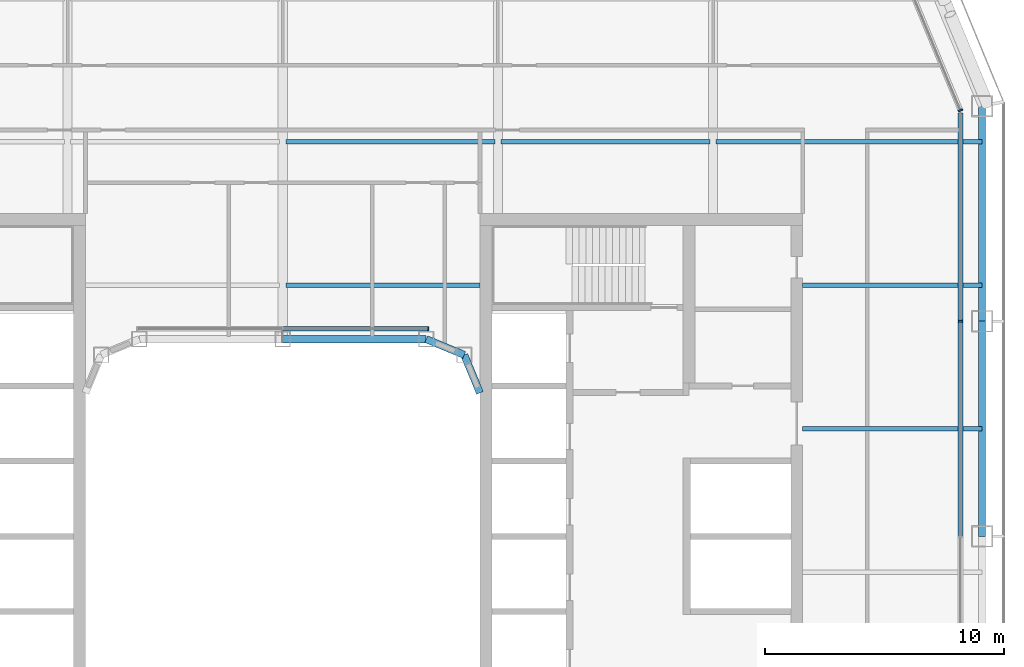
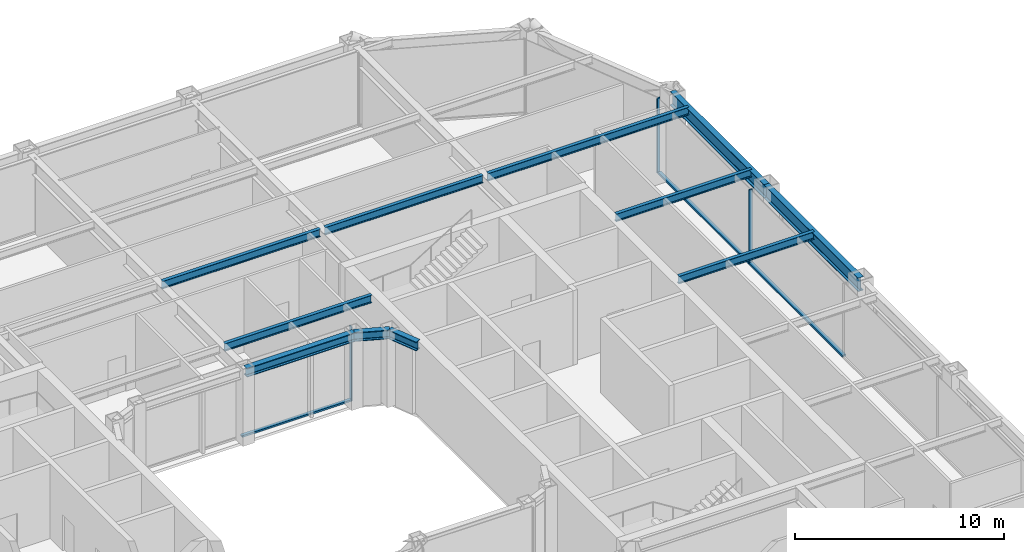
# One storey, part 8 of 23: 11 beams, 6 members, 3 elements without a shape of their own.
"""IFC4 building model written with IfcOpenShell, lengths in metres."""

import ifcopenshell
import ifcopenshell.guid

model = None  # the IFC model being written
_history = None  # IfcOwnerHistory: only IFC2X3 demands one
_inside = {}  # id of a spatial element -> (the spatial element, [elements in it])
_under = {}  # id of a project, library or spatial element -> (it, [spatial elements below it])
_declared = {}  # id of a project -> (the project, [libraries it declares])
_typed = {}  # id of a type object -> (the type object, [elements of that type])
_made_of = {}  # id of a material, layer set ... -> (it, [elements and type objects made of it])


def new_model(schema):
    """Start an empty IFC model of exactly this schema.

    Asked for "IFC4X3", IfcOpenShell would pick the latest addendum, in which some entities
    have other attributes; the version numbers below select the first issue.
    IFC2X3 requires an IfcOwnerHistory on every rooted entity: one is made here for all.
    """
    global model, _history
    if schema == "IFC4X3":
        model = ifcopenshell.file(schema_version=(4, 3, 0, 0))
    else:
        model = ifcopenshell.file(schema=schema)
    _inside.clear()
    _under.clear()
    _declared.clear()
    _typed.clear()
    _made_of.clear()
    _history = None
    if model.schema == "IFC2X3":
        org = make("IfcOrganization", Name="unknown")
        user = make(
            "IfcPersonAndOrganization",
            ThePerson=make("IfcPerson", FamilyName="unknown"),
            TheOrganization=org,
        )
        app = make(
            "IfcApplication",
            ApplicationDeveloper=org,
            Version="unknown",
            ApplicationFullName="unknown",
            ApplicationIdentifier="unknown",
        )
        _history = make(
            "IfcOwnerHistory",
            OwningUser=user,
            OwningApplication=app,
            ChangeAction="ADDED",
            CreationDate=0,
        )
    return model


def make(cls, **values):
    """One entity of the class cls with the attributes given. An attribute that is None is left unset."""
    return model.create_entity(
        cls, **{name: value for name, value in values.items() if value is not None}
    )


def rooted(cls, **values):
    """An entity with a GlobalId (a new one), such as an element, a storey or a relation."""
    return make(cls, GlobalId=ifcopenshell.guid.new(), OwnerHistory=_history, **values)


def si_unit(unit_type, name, prefix=None):
    """IfcSIUnit, for example si_unit("LENGTHUNIT", "METRE", prefix="MILLI")."""
    return make("IfcSIUnit", UnitType=unit_type, Prefix=prefix, Name=name)


def assignment(units):
    """IfcUnitAssignment: the units of a project."""
    return None if units is None else make("IfcUnitAssignment", Units=units)


def point(xyz):
    """IfcCartesianPoint."""
    return None if xyz is None else make("IfcCartesianPoint", Coordinates=xyz)


def direction(xyz):
    """IfcDirection."""
    return None if xyz is None else make("IfcDirection", DirectionRatios=xyz)


def frame(location, z_axis=None, x_axis=None):
    """IfcAxis2Placement3D, a coordinate frame: its origin and axes. An axis left out is left unset."""
    return make(
        "IfcAxis2Placement3D",
        Location=point(location),
        Axis=direction(z_axis),
        RefDirection=direction(x_axis),
    )


def frame_2d(location, x_axis=None):
    """IfcAxis2Placement2D, a coordinate frame in the plane: its origin and x axis."""
    return make(
        "IfcAxis2Placement2D", Location=point(location), RefDirection=direction(x_axis)
    )


def origin():
    """The frame at (0, 0, 0) with its axes left unset."""
    return frame((0.0, 0.0, 0.0))


def origin_2d():
    """The frame at (0, 0) in the plane with its x axis left unset."""
    return frame_2d((0.0, 0.0))


def place(relative_to, where):
    """IfcLocalPlacement: puts the frame where relative to a parent placement (None: the world)."""
    return make(
        "IfcLocalPlacement", PlacementRelTo=relative_to, RelativePlacement=where
    )


def context(
    kind, dimensions, precision=None, world=None, true_north=None, identifier=None
):
    """IfcGeometricRepresentationContext, for example the 3D "Model" context."""
    return make(
        "IfcGeometricRepresentationContext",
        ContextIdentifier=identifier,
        ContextType=kind,
        CoordinateSpaceDimension=dimensions,
        Precision=precision,
        WorldCoordinateSystem=world,
        TrueNorth=true_north,
    )


def subcontext(parent, identifier, kind, view, scale=None):
    """IfcGeometricRepresentationSubContext, for example "Body" below "Model"."""
    return make(
        "IfcGeometricRepresentationSubContext",
        ContextIdentifier=identifier,
        ContextType=kind,
        ParentContext=parent,
        TargetScale=scale,
        TargetView=view,
    )


def project(units=None, contexts=None):
    """IfcProject with its units and contexts."""
    return rooted(
        "IfcProject",
        Name="project",
        RepresentationContexts=contexts,
        UnitsInContext=assignment(units),
    )


def spatial(cls, under=None, at=None, **own):
    """A site, building, storey or space (cls), placed at a placement, below another one or the project."""
    s = rooted(cls, ObjectPlacement=at, **own)
    if under is not None:
        _under.setdefault(under.id(), (under, []))[1].append(s)
    return s


def profile(cls, at=None, kind="AREA", **sizes):
    """A parametric profile (cls). Its sizes go by their IFC names, for example OverallWidth=200.0."""
    return make(cls, ProfileType=kind, Position=at, **sizes)


def rectangle(**sizes):
    """IfcRectangleProfileDef."""
    return profile("IfcRectangleProfileDef", **sizes)


def i_section(**sizes):
    """IfcIShapeProfileDef."""
    return profile("IfcIShapeProfileDef", **sizes)


def extrude(swept, where, along, depth):
    """IfcExtrudedAreaSolid: the profile swept, set in the frame where, extruded along a direction by depth."""
    return make(
        "IfcExtrudedAreaSolid",
        SweptArea=swept,
        Position=where,
        ExtrudedDirection=direction(along),
        Depth=depth,
    )


def shape(context_of_items, identifier, shape_type, items):
    """IfcShapeRepresentation: the items that make up one representation, for example the "Body"."""
    return make(
        "IfcShapeRepresentation",
        ContextOfItems=context_of_items,
        RepresentationIdentifier=identifier,
        RepresentationType=shape_type,
        Items=items,
    )


def material(Name=None, Category=None):
    """IfcMaterial."""
    return make("IfcMaterial", Name=Name, Category=Category)


def layer(
    of_material, thickness, ventilated=None, Name=None, Category=None, Priority=None
):
    """IfcMaterialLayer: one layer of a wall or slab, of a material (None: an air gap)."""
    return make(
        "IfcMaterialLayer",
        Material=of_material,
        LayerThickness=thickness,
        IsVentilated=ventilated,
        Name=Name,
        Category=Category,
        Priority=Priority,
    )


def layer_set(layers, Name=None):
    """IfcMaterialLayerSet."""
    return make("IfcMaterialLayerSet", MaterialLayers=layers, LayerSetName=Name)


def material_profile(
    of_material, cross_section, Name=None, Category=None, Priority=None
):
    """IfcMaterialProfile: a cross section and its material."""
    return make(
        "IfcMaterialProfile",
        Name=Name,
        Material=of_material,
        Profile=cross_section,
        Priority=Priority,
        Category=Category,
    )


def profile_set(profiles, Name=None, composite=None):
    """IfcMaterialProfileSet."""
    return make(
        "IfcMaterialProfileSet",
        Name=Name,
        MaterialProfiles=profiles,
        CompositeProfile=composite,
    )


def made_of(thing, what):
    """Note that an element or type object is made of a material, layer set ...; save() writes the relation."""
    if what is not None:
        _made_of.setdefault(what.id(), (what, []))[1].append(thing)
    return thing


def type_object(cls, material=None, **own):
    """A type object (cls), such as IfcWallType, which elements share."""
    return made_of(rooted(cls, **own), material)


def element(
    cls,
    number,
    at=None,
    inside=None,
    cuts=None,
    type_object=None,
    material=None,
    context=None,
    identifier="Body",
    shape_type=None,
    held_by="IfcProductDefinitionShape",
    body=None,
    shapes=None,
    **own,
):
    """One element of the class cls, such as IfcWall. Its Tag is "e" and its number.

    at: its placement. inside: the storey or other place that contains it. cuts: it is an
    opening in that element (IfcRelVoidsElement). A single representation is given by context,
    identifier, shape_type and body (its items); several are given by shapes. held_by: the class
    of the entity that holds the representations. save() writes the other relations.
    """
    e = rooted(cls, Tag="e%d" % number, ObjectPlacement=at, **own)
    if body is not None:
        shapes = [shape(context, identifier, shape_type, body)]
    if shapes is not None:
        e.Representation = make(held_by, Representations=shapes)
    if inside is not None:
        _inside.setdefault(inside.id(), (inside, []))[1].append(e)
    if cuts is not None:
        rooted(
            "IfcRelVoidsElement", RelatingBuildingElement=cuts, RelatedOpeningElement=e
        )
    if type_object is not None:
        _typed.setdefault(type_object.id(), (type_object, []))[1].append(e)
    return made_of(e, material)


def aggregate(whole, parts):
    """IfcRelAggregates: a whole, such as a stair, and the parts it consists of."""
    return rooted("IfcRelAggregates", RelatingObject=whole, RelatedObjects=parts)


def save(model, path):
    """Write the relations noted so far, then the file.

    IfcRelAggregates (storeys below a building ...), IfcRelContainedInSpatialStructure (elements
    in a storey), IfcRelDefinesByType, IfcRelAssociatesMaterial and IfcRelDeclares: one each for
    every whole, place, type object, material and project.
    """
    for whole, parts in _under.values():
        aggregate(whole, parts)
    for where, things in _inside.values():
        rooted(
            "IfcRelContainedInSpatialStructure",
            RelatedElements=things,
            RelatingStructure=where,
        )
    for kind, things in _typed.values():
        rooted("IfcRelDefinesByType", RelatedObjects=things, RelatingType=kind)
    for what, things in _made_of.values():
        rooted("IfcRelAssociatesMaterial", RelatedObjects=things, RelatingMaterial=what)
    for by, libraries in _declared.values():
        rooted("IfcRelDeclares", RelatingContext=by, RelatedDefinitions=libraries)
    model.write(path)


model = new_model("IFC4")

# Units and contexts
model_context = context("Model", 3, precision=1e-05, world=origin(), true_north=direction((0.0, 1.0)))
body_context = subcontext(model_context, "Body", "Model", "MODEL_VIEW")
ifc_project = project(units=[si_unit("LENGTHUNIT", "METRE"), si_unit("AREAUNIT", "SQUARE_METRE"), si_unit("VOLUMEUNIT", "CUBIC_METRE"), si_unit("PLANEANGLEUNIT", "RADIAN"), si_unit("MASSUNIT", "GRAM", prefix="KILO")], contexts=[model_context])

# Site, building, storey
site_placement = place(None, origin())
site = spatial("IfcSite", under=ifc_project, at=site_placement, CompositionType="ELEMENT")
building_placement = place(site_placement, origin())
building = spatial("IfcBuilding", under=site, at=building_placement, Name="Siwar Civic Tower", CompositionType="ELEMENT")
storey_placement = place(building_placement, frame((0.0, 0.0, 154.199951171875)))
storey = spatial("IfcBuildingStorey", under=building, at=storey_placement, Name="L33", CompositionType="ELEMENT", Elevation=154.199951171875)

# Curtain wall, member
ifc_material_1 = material(Name="Aluminium and glass", Category="aluminium")
ifc_layer_1 = layer(ifc_material_1, 0.199951171875)
ifc_layer_set_1 = layer_set([ifc_layer_1], Name="Aluminium and glass")
curtain_wall_type_1 = type_object("IfcCurtainWallType", Name="ENV-CW-B", PredefinedType="NOTDEFINED", material=ifc_layer_set_1)
curtain_wall_1_placement = place(storey_placement, origin())
curtain_wall_1 = element("IfcCurtainWall", 1, at=curtain_wall_1_placement, inside=storey, type_object=curtain_wall_type_1, Name="Curtain wall B E", PredefinedType="NOTDEFINED")
ifc_material_2 = material(Name="Aluminium 6063-T6", Category="aluminium")
ifc_material_profile_1 = material_profile(ifc_material_2, rectangle(XDim=0.199951171875, YDim=0.06494140625, at=origin_2d()), Name="AL 200x65")
ifc_profile_set_1 = profile_set([ifc_material_profile_1], Name="Aluminium 6063-T6")
member_type_1 = type_object("IfcMemberType", Name="ENV-MULLION-B", PredefinedType="MULLION", material=ifc_profile_set_1)
member_1_placement = place(storey_placement, frame((28.35009765625, 9.0, 0.0), z_axis=(0.0, 0.0, 1.0), x_axis=(-1.0, 0.0, 0.0)))
member_1 = element("IfcMember", 2, at=member_1_placement, type_object=member_type_1, Name="Mullion B E 4", PredefinedType="MULLION", context=body_context, shape_type="SweptSolid", body=[
    extrude(rectangle(XDim=0.199951171875, YDim=0.06494140625, at=origin_2d()), origin(), (0.0, 0.0, 1.0), 4.35009765625),
])

ifc_material_3 = material(Name="Aluminium clad insulated panel", Category="aluminium")
ifc_layer_2 = layer(ifc_material_3, 0.199951171875)
ifc_layer_set_2 = layer_set([ifc_layer_2], Name="Aluminium clad insulated panel")
curtain_wall_type_2 = type_object("IfcCurtainWallType", Name="ENV-CW-BX", PredefinedType="NOTDEFINED", material=ifc_layer_set_2)
curtain_wall_2_placement = place(storey_placement, origin())
curtain_wall_2 = element("IfcCurtainWall", 3, at=curtain_wall_2_placement, inside=storey, type_object=curtain_wall_type_2, Name="Curtain wall B NE1", PredefinedType="NOTDEFINED")
member_2_placement = place(storey_placement, frame((28.35009765625, 17.821044921875, 0.0), z_axis=(0.0, 0.0, 1.0), x_axis=(-0.923879532511, -0.382683432365, 0.0)))
member_2 = element("IfcMember", 4, at=member_2_placement, type_object=member_type_1, Name="Mullion B NE1 1", PredefinedType="MULLION", context=body_context, shape_type="SweptSolid", body=[
    extrude(rectangle(XDim=0.199951171875, YDim=0.06494140625, at=origin_2d()), origin(), (0.0, 0.0, 1.0), 4.35009765625),
])
aggregate(curtain_wall_2, [member_2])

ifc_material_4 = material(Name="Aluminium and glass", Category="aluminium")
ifc_layer_3 = layer(ifc_material_4, 0.179931640625)
ifc_layer_set_3 = layer_set([ifc_layer_3], Name="Aluminium and glass")
curtain_wall_type_3 = type_object("IfcCurtainWallType", Name="ENV-CW-W", PredefinedType="NOTDEFINED", material=ifc_layer_set_3)
curtain_wall_3_placement = place(storey_placement, origin())
curtain_wall_3 = element("IfcCurtainWall", 5, at=curtain_wall_3_placement, inside=storey, type_object=curtain_wall_type_3, Name="Curtain wall W WN", PredefinedType="NOTDEFINED")
ifc_material_5 = material(Name="Aluminium 6063-T6", Category="aluminium")
ifc_material_profile_2 = material_profile(ifc_material_5, rectangle(XDim=0.179931640625, YDim=0.06005859375, at=origin_2d()), Name="AL 180x60")
ifc_profile_set_2 = profile_set([ifc_material_profile_2], Name="Aluminium 6063-T6")
member_type_2 = type_object("IfcMemberType", Name="ENV-MULLION-W", PredefinedType="MULLION", material=ifc_profile_set_2)
member_3_placement = place(storey_placement, frame((6.08642578125, 8.68505859375, 0.0), z_axis=(0.0, 0.0, 1.0), x_axis=(0.0, -1.0, 0.0)))
member_3 = element("IfcMember", 6, at=member_3_placement, type_object=member_type_2, Name="Mullion W WN 1", PredefinedType="MULLION", context=body_context, shape_type="SweptSolid", body=[
    extrude(rectangle(XDim=0.179931640625, YDim=0.06005859375, at=origin_2d()), origin(), (0.0, 0.0, 1.0), 4.35009765625),
])

# Member
ifc_material_6 = material(Name="Aluminium 6063-T6", Category="aluminium")
ifc_material_profile_3 = material_profile(ifc_material_6, rectangle(XDim=0.199951171875, YDim=0.110107421875, at=origin_2d()), Name="AL 200x110")
ifc_profile_set_3 = profile_set([ifc_material_profile_3], Name="Aluminium 6063-T6")
member_type_3 = type_object("IfcMemberType", Name="ENV-TRANSOM-B", PredefinedType="USERDEFINED", material=ifc_profile_set_3)
member_4_placement = place(storey_placement, frame((28.35009765625, 0.032470703125, 0.054931640625), z_axis=(0.0, 1.0, 0.0), x_axis=(-1.0, 0.0, 0.0)))
member_4 = element("IfcMember", 7, at=member_4_placement, type_object=member_type_3, Name="Transom B E 3", ObjectType="TRANSOM", PredefinedType="USERDEFINED", context=body_context, shape_type="SweptSolid", body=[
    extrude(rectangle(XDim=0.199951171875, YDim=0.110107421875, at=origin_2d()), origin(), (0.0, 0.0, 1.0), 8.93505859375),
])

member_5_placement = place(storey_placement, frame((28.35009765625, 9.032470703125, 0.054931640625), z_axis=(0.0, 1.0, 0.0), x_axis=(-1.0, 0.0, 0.0)))
member_5 = element("IfcMember", 8, at=member_5_placement, type_object=member_type_3, Name="Transom B E 4", ObjectType="TRANSOM", PredefinedType="USERDEFINED", context=body_context, shape_type="SweptSolid", body=[
    extrude(rectangle(XDim=0.199951171875, YDim=0.110107421875, at=origin_2d()), origin(), (0.0, 0.0, 1.0), 8.6748046875),
])

aggregate(curtain_wall_1, [member_1, member_4, member_5])

ifc_material_7 = material(Name="Aluminium 6063-T6", Category="aluminium")
ifc_material_profile_4 = material_profile(ifc_material_7, rectangle(XDim=0.179931640625, YDim=0.10009765625, at=origin_2d()), Name="AL 180x100")
ifc_profile_set_4 = profile_set([ifc_material_profile_4], Name="Aluminium 6063-T6")
member_type_4 = type_object("IfcMemberType", Name="ENV-TRANSOM-W", PredefinedType="USERDEFINED", material=ifc_profile_set_4)
member_6_placement = place(storey_placement, frame((6.056640625, 8.68505859375, 0.050048828125), z_axis=(-1.0, 0.0, 0.0), x_axis=(0.0, -1.0, 0.0)))
member_6 = element("IfcMember", 9, at=member_6_placement, type_object=member_type_4, Name="Transom W WN 1", ObjectType="TRANSOM", PredefinedType="USERDEFINED", context=body_context, shape_type="SweptSolid", body=[
    extrude(rectangle(XDim=0.179931640625, YDim=0.10009765625, at=origin_2d()), origin(), (0.0, 0.0, 1.0), 6.026611328125),
])

aggregate(curtain_wall_3, [member_3, member_6])

# Beams
ifc_material_8 = material(Name="Steel S355", Category="steel")
ifc_material_profile_5 = material_profile(ifc_material_8, i_section(OverallWidth=0.18994140625, OverallDepth=0.449951171875, WebThickness=0.009521484375, FlangeThickness=0.0146484375, FilletRadius=0.02099609375, at=origin_2d()), Name="IPE450")
ifc_profile_set_5 = profile_set([ifc_material_profile_5], Name="Steel S355")
beam_type_1 = type_object("IfcBeamType", Name="STR-FB-IPE450", PredefinedType="JOIST", material=ifc_profile_set_5)
beam_1_placement = place(storey_placement, frame((21.75, 4.5, 4.125), z_axis=(1.0, 0.0, 0.0), x_axis=(0.0, 1.0, 0.0)))
element("IfcBeam", 10, at=beam_1_placement, inside=storey, type_object=beam_type_1, Name="L33/bm/F026", PredefinedType="JOIST", context=body_context, shape_type="SweptSolid", body=[
    extrude(i_section(OverallWidth=0.18994140625, OverallDepth=0.449951171875, WebThickness=0.009521484375, FlangeThickness=0.0146484375, FilletRadius=0.02099609375, at=origin_2d()), origin(), (0.0, 0.0, 1.0), 7.5),
])
beam_2_placement = place(storey_placement, frame((0.1298828125, 10.5, 4.125), z_axis=(1.0, 0.0, 0.0), x_axis=(0.0, 1.0, 0.0)))
element("IfcBeam", 11, at=beam_2_placement, inside=storey, type_object=beam_type_1, Name="L33/bm/F029", PredefinedType="JOIST", context=body_context, shape_type="SweptSolid", body=[
    extrude(i_section(OverallWidth=0.18994140625, OverallDepth=0.449951171875, WebThickness=0.009521484375, FlangeThickness=0.0146484375, FilletRadius=0.02099609375, at=origin_2d()), origin(), (0.0, 0.0, 1.0), 8.1201171875),
])
beam_3_placement = place(storey_placement, frame((21.75, 10.5, 4.125), z_axis=(1.0, 0.0, 0.0), x_axis=(0.0, 1.0, 0.0)))
element("IfcBeam", 12, at=beam_3_placement, inside=storey, type_object=beam_type_1, Name="L33/bm/F030", PredefinedType="JOIST", context=body_context, shape_type="SweptSolid", body=[
    extrude(i_section(OverallWidth=0.18994140625, OverallDepth=0.449951171875, WebThickness=0.009521484375, FlangeThickness=0.0146484375, FilletRadius=0.02099609375, at=origin_2d()), origin(), (0.0, 0.0, 1.0), 7.5),
])
for number, where, z_axis, x_axis, name in (
    (13, (0.1298828125, 16.5, 4.125), (1.0, 0.0, 0.0), (0.0, 1.0, 0.0), "L33/bm/F034"),
    (14, (9.1298828125, 16.5, 4.125), (1.0, 0.0, 0.0), (0.0, 1.0, 0.0), "L33/bm/F035"),
):
    element("IfcBeam", number, at=place(storey_placement, frame(where, z_axis=z_axis, x_axis=x_axis)), inside=storey, type_object=beam_type_1, Name=name, PredefinedType="JOIST", context=body_context, shape_type="SweptSolid", body=[
        extrude(i_section(OverallWidth=0.18994140625, OverallDepth=0.449951171875, WebThickness=0.009521484375, FlangeThickness=0.0146484375, FilletRadius=0.02099609375, at=origin_2d()), origin(), (0.0, 0.0, 1.0), 8.740234375),
    ])
beam_4_placement = place(storey_placement, frame((18.1298828125, 16.5, 4.125), z_axis=(1.0, 0.0, 0.0), x_axis=(0.0, 1.0, 0.0)))
element("IfcBeam", 15, at=beam_4_placement, inside=storey, type_object=beam_type_1, Name="L33/bm/F036", PredefinedType="JOIST", context=body_context, shape_type="SweptSolid", body=[
    extrude(i_section(OverallWidth=0.18994140625, OverallDepth=0.449951171875, WebThickness=0.009521484375, FlangeThickness=0.0146484375, FilletRadius=0.02099609375, at=origin_2d()), origin(), (0.0, 0.0, 1.0), 11.1201171875),
])
ifc_material_9 = material(Name="Steel S355", Category="steel")
ifc_material_profile_6 = material_profile(ifc_material_9, i_section(OverallWidth=0.305908203125, OverallDepth=0.52392578125, WebThickness=0.02099609375, FlangeThickness=0.0400390625, FilletRadius=0.027099609375, at=origin_2d()), Name="HEM500")
ifc_profile_set_6 = profile_set([ifc_material_profile_6], Name="Steel S355")
beam_type_2 = type_object("IfcBeamType", Name="STR-RB-HEM500", PredefinedType="BEAM", material=ifc_profile_set_6)
beam_5_placement = place(storey_placement, frame((0.0, 8.25, 4.088134765625), z_axis=(1.0, 0.0, 0.0), x_axis=(0.0, 1.0, 0.0)))
element("IfcBeam", 16, at=beam_5_placement, inside=storey, type_object=beam_type_2, Name="L33/bm/RN2", PredefinedType="BEAM", context=body_context, shape_type="SweptSolid", body=[
    extrude(i_section(OverallWidth=0.305908203125, OverallDepth=0.52392578125, WebThickness=0.02099609375, FlangeThickness=0.0400390625, FilletRadius=0.027099609375, at=origin_2d()), origin(), (0.0, 0.0, 1.0), 6.0),
])
for number, where, z_axis, x_axis, name in (
    (17, (6.0, 8.25, 4.088134765625), (0.923901072997, -0.382631424892, 0.0), (0.382631424892, 0.923901072997, 0.0), "L33/bm/RN3"),
    (18, (7.591064453125, 7.591064453125, 4.088134765625), (0.382631424892, -0.923901072997, 0.0), (0.923901072997, 0.382631424892, 0.0), "L33/bm/RNEE"),
):
    element("IfcBeam", number, at=place(storey_placement, frame(where, z_axis=z_axis, x_axis=x_axis)), inside=storey, type_object=beam_type_2, Name=name, PredefinedType="BEAM", context=body_context, shape_type="SweptSolid", body=[
        extrude(i_section(OverallWidth=0.305908203125, OverallDepth=0.52392578125, WebThickness=0.02099609375, FlangeThickness=0.0400390625, FilletRadius=0.027099609375, at=origin_2d()), origin(), (0.0, 0.0, 1.0), 1.72216796875),
    ])
ifc_material_10 = material(Name="Steel S355", Category="steel")
ifc_material_profile_7 = material_profile(ifc_material_10, i_section(OverallWidth=0.300048828125, OverallDepth=0.800048828125, WebThickness=0.017578125, FlangeThickness=0.032958984375, FilletRadius=0.030029296875, at=origin_2d()), Name="HEB800")
ifc_profile_set_7 = profile_set([ifc_material_profile_7], Name="Steel S355")
beam_type_3 = type_object("IfcBeamType", Name="STR-SB-HEB800", PredefinedType="BEAM", material=ifc_profile_set_7)
for number, where, z_axis, x_axis, name in (
    (19, (29.25, 0.0, 3.949951171875), (0.0, 1.0, 0.0), (-1.0, 0.0, 0.0), "L33/bm/SE-2"),
    (20, (29.25, 9.0, 3.949951171875), (0.0, 1.0, 0.0), (-1.0, 0.0, 0.0), "L33/bm/SE-3"),
):
    element("IfcBeam", number, at=place(storey_placement, frame(where, z_axis=z_axis, x_axis=x_axis)), inside=storey, type_object=beam_type_3, Name=name, PredefinedType="BEAM", context=body_context, shape_type="SweptSolid", body=[
        extrude(i_section(OverallWidth=0.300048828125, OverallDepth=0.800048828125, WebThickness=0.017578125, FlangeThickness=0.032958984375, FilletRadius=0.030029296875, at=origin_2d()), origin(), (0.0, 0.0, 1.0), 9.0),
    ])

save(model, "model.ifc")
